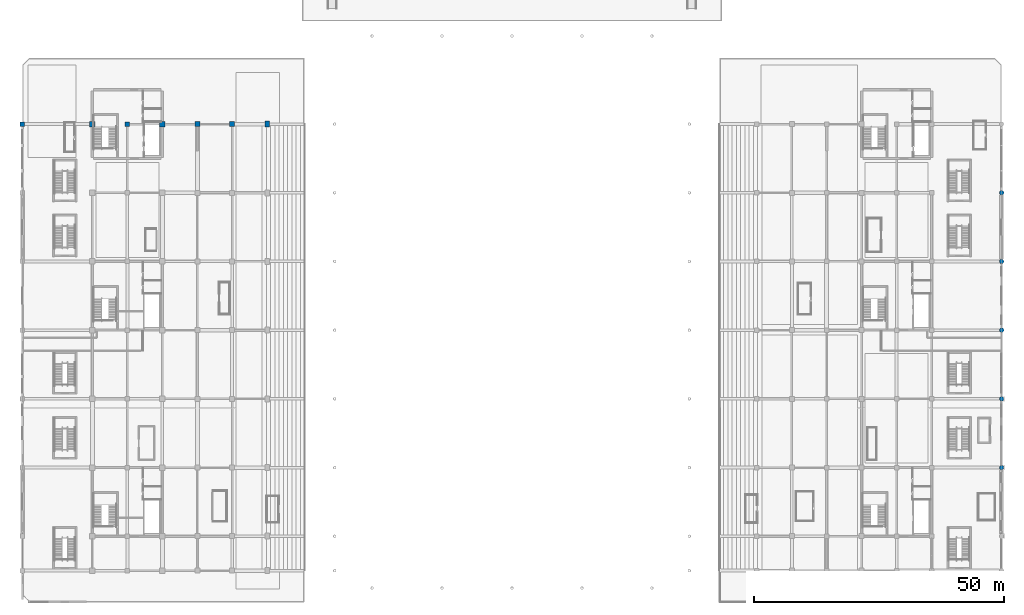
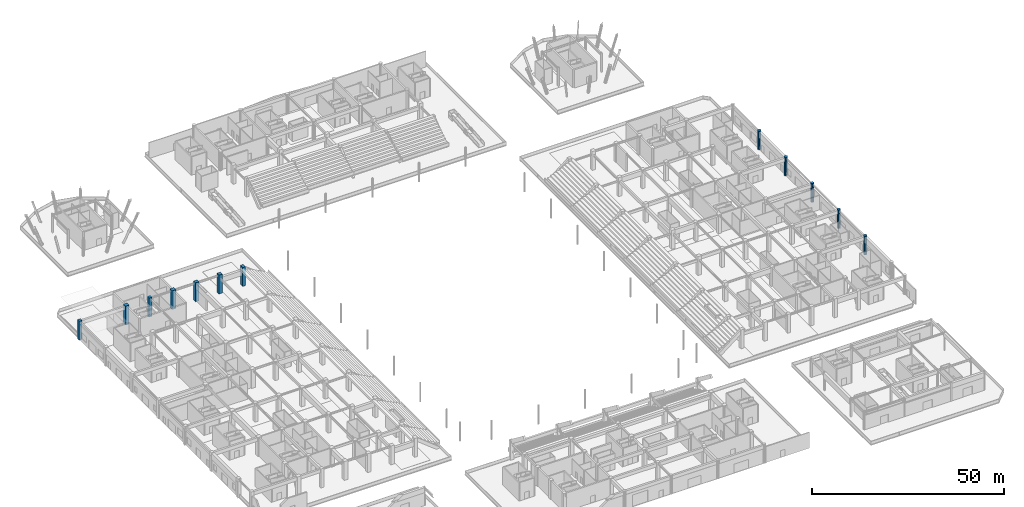
# One storey, part 15 of 73: 12 columns.
"""IFC4 building model written with IfcOpenShell, lengths in metres."""

from ifc_helpers import new_model, si_unit, direction, frame, origin, origin_2d, place, context, subcontext, project, spatial, rectangle, circle, extrude, material, material_profile, profile_set, type_object, element, save


model = new_model("IFC4")

# Units and contexts
model_context = context("Model", 3, precision=1e-05, world=origin(), true_north=direction((0.0, 1.0)))
body_context = subcontext(model_context, "Body", "Model", "MODEL_VIEW")
ifc_project = project(units=[si_unit("LENGTHUNIT", "METRE"), si_unit("AREAUNIT", "SQUARE_METRE"), si_unit("VOLUMEUNIT", "CUBIC_METRE"), si_unit("PLANEANGLEUNIT", "RADIAN"), si_unit("MASSUNIT", "GRAM", prefix="KILO")], contexts=[model_context])

# Site, building, storey
site_placement = place(None, origin())
site = spatial("IfcSite", under=ifc_project, at=site_placement, CompositionType="ELEMENT")
building_placement = place(site_placement, origin())
building = spatial("IfcBuilding", under=site, at=building_placement, Name="Linyun Crest Stadium", CompositionType="ELEMENT")
storey_placement = place(building_placement, origin())
storey = spatial("IfcBuildingStorey", under=building, at=storey_placement, Name="L01", CompositionType="ELEMENT", Elevation=0.0)

# Columns
ifc_material_1 = material(Name="Concrete C50", Category="concrete")
ifc_material_profile_1 = material_profile(ifc_material_1, rectangle(XDim=0.89990234375, YDim=0.89990234375, at=origin_2d()), Name="RC 900x900")
ifc_profile_set_1 = profile_set([ifc_material_profile_1], Name="Concrete C50")
column_type_1 = type_object("IfcColumnType", Name="C04", PredefinedType="COLUMN", material=ifc_profile_set_1)
for number, where, z_axis, x_axis, name in (
    (1, (-98.0, 43.375, 0.0), (0.0, 0.0, 1.0), (1.0, 0.0, 0.0), "Column C04 L01 44"),
    (2, (-77.0, 43.375, 0.0), (0.0, 0.0, 1.0), (1.0, 0.0, 0.0), "Column C04 L01 141"),
):
    element("IfcColumn", number, at=place(storey_placement, frame(where, z_axis=z_axis, x_axis=x_axis)), inside=storey, type_object=column_type_1, Name=name, PredefinedType="COLUMN", context=body_context, shape_type="SweptSolid", body=[
        extrude(rectangle(XDim=0.89990234375, YDim=0.89990234375, at=origin_2d()), origin(), (0.0, 0.0, 1.0), 5.998046875),
    ])
ifc_material_2 = material(Name="Concrete C50", Category="concrete")
ifc_material_profile_2 = material_profile(ifc_material_2, rectangle(XDim=1.0, YDim=1.0, at=origin_2d()), Name="RC 1000x1000")
ifc_profile_set_2 = profile_set([ifc_material_profile_2], Name="Concrete C50")
column_type_2 = type_object("IfcColumnType", Name="C05", PredefinedType="COLUMN", material=ifc_profile_set_2)
for number, where, z_axis, x_axis, name in (
    (3, (-63.0, 43.375, 0.0), (0.0, 0.0, 1.0), (1.0, 0.0, 0.0), "Column C05 L01 237"),
    (4, (-56.0, 43.375, 0.0), (0.0, 0.0, 1.0), (1.0, 0.0, 0.0), "Column C05 L01 270"),
):
    element("IfcColumn", number, at=place(storey_placement, frame(where, z_axis=z_axis, x_axis=x_axis)), inside=storey, type_object=column_type_2, Name=name, PredefinedType="COLUMN", context=body_context, shape_type="SweptSolid", body=[
        extrude(rectangle(XDim=1.0, YDim=1.0, at=origin_2d()), origin(), (0.0, 0.0, 1.0), 5.998046875),
    ])
ifc_material_3 = material(Name="Concrete C50", Category="concrete")
ifc_material_profile_3 = material_profile(ifc_material_3, rectangle(XDim=1.10009765625, YDim=1.10009765625, at=origin_2d()), Name="RC 1100x1100")
ifc_profile_set_3 = profile_set([ifc_material_profile_3], Name="Concrete C50")
column_type_3 = type_object("IfcColumnType", Name="C06", PredefinedType="COLUMN", material=ifc_profile_set_3)
for number, where, z_axis, x_axis, name in (
    (5, (-84.0, 43.375, 0.0), (0.0, 0.0, 1.0), (1.0, 0.0, 0.0), "Column C06 L01 99"),
    (6, (-70.0, 43.375, 0.0), (0.0, 0.0, 1.0), (1.0, 0.0, 0.0), "Column C06 L01 195"),
):
    element("IfcColumn", number, at=place(storey_placement, frame(where, z_axis=z_axis, x_axis=x_axis)), inside=storey, type_object=column_type_3, Name=name, PredefinedType="COLUMN", context=body_context, shape_type="SweptSolid", body=[
        extrude(rectangle(XDim=1.10009765625, YDim=1.10009765625, at=origin_2d()), origin(), (0.0, 0.0, 1.0), 5.998046875),
    ])
ifc_material_4 = material(Name="Concrete C50", Category="concrete")
ifc_material_profile_4 = material_profile(ifc_material_4, circle(Radius=0.449951171875, at=origin_2d()), Name="RC D900")
ifc_profile_set_4 = profile_set([ifc_material_profile_4], Name="Concrete C50")
column_type_4 = type_object("IfcColumnType", Name="C08", PredefinedType="COLUMN", material=ifc_profile_set_4)
for number, where, z_axis, x_axis, name in (
    (7, (98.0, -25.375, 0.0), (0.0, 0.0, 1.0), (1.0, 0.0, 0.0), "Column C08 L01 540"),
    (8, (98.0, -11.625, 0.0), (0.0, 0.0, 1.0), (1.0, 0.0, 0.0), "Column C08 L01 545"),
    (9, (98.0, 2.125, 0.0), (0.0, 0.0, 1.0), (1.0, 0.0, 0.0), "Column C08 L01 550"),
    (10, (98.0, 15.875, 0.0), (0.0, 0.0, 1.0), (1.0, 0.0, 0.0), "Column C08 L01 555"),
    (11, (98.0, 29.625, 0.0), (0.0, 0.0, 1.0), (1.0, 0.0, 0.0), "Column C08 L01 560"),
):
    element("IfcColumn", number, at=place(storey_placement, frame(where, z_axis=z_axis, x_axis=x_axis)), inside=storey, type_object=column_type_4, Name=name, PredefinedType="COLUMN", context=body_context, shape_type="SweptSolid", body=[
        extrude(circle(Radius=0.449951171875, at=origin_2d()), origin(), (0.0, 0.0, 1.0), 5.998046875),
    ])
ifc_material_5 = material(Name="Concrete C50", Category="concrete")
ifc_material_profile_5 = material_profile(ifc_material_5, rectangle(XDim=0.89990234375, YDim=1.199951171875, at=origin_2d()), Name="RC 1200x900")
ifc_profile_set_5 = profile_set([ifc_material_profile_5], Name="Concrete C50")
column_type_5 = type_object("IfcColumnType", Name="C11", PredefinedType="COLUMN", material=ifc_profile_set_5)
column_placement = place(storey_placement, frame((-49.0, 43.375, 0.0), z_axis=(0.0, 0.0, 1.0), x_axis=(1.0, 0.0, 0.0)))
element("IfcColumn", 12, at=column_placement, inside=storey, type_object=column_type_5, Name="Column C11 L01 288", PredefinedType="COLUMN", context=body_context, shape_type="SweptSolid", body=[
    extrude(rectangle(XDim=0.89990234375, YDim=1.199951171875, at=origin_2d()), origin(), (0.0, 0.0, 1.0), 6.0),
])

save(model, "model.ifc")
